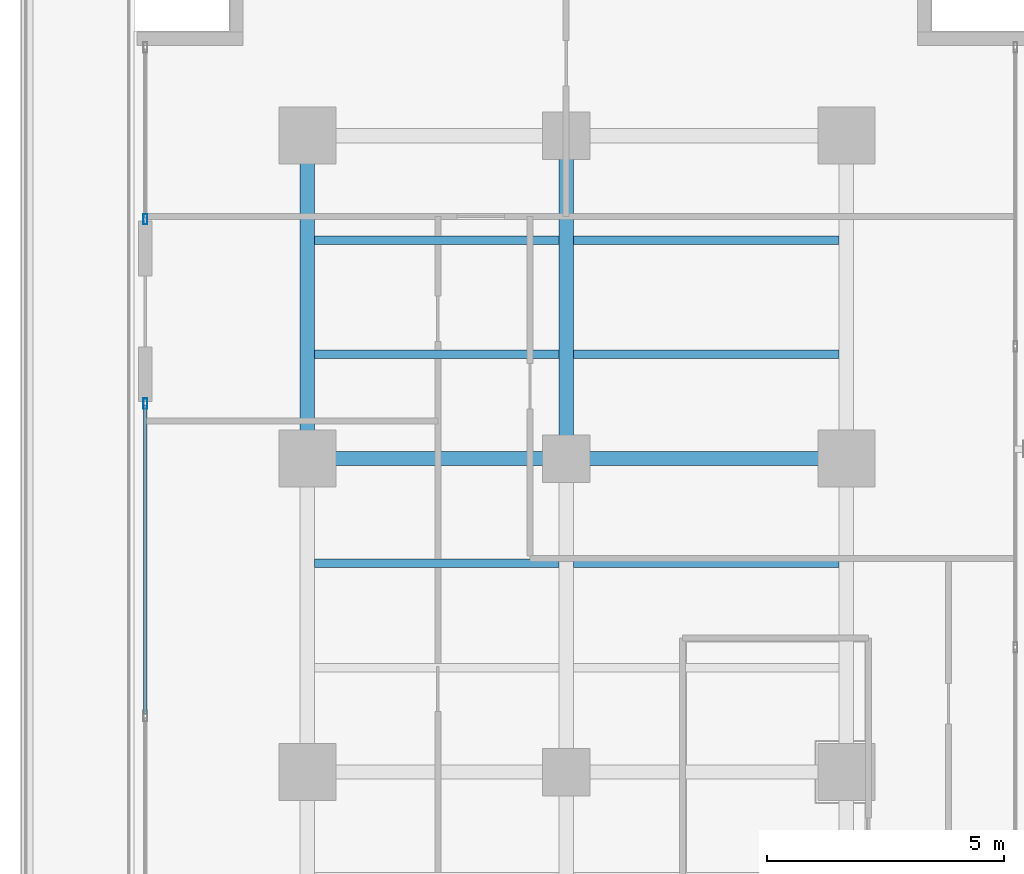
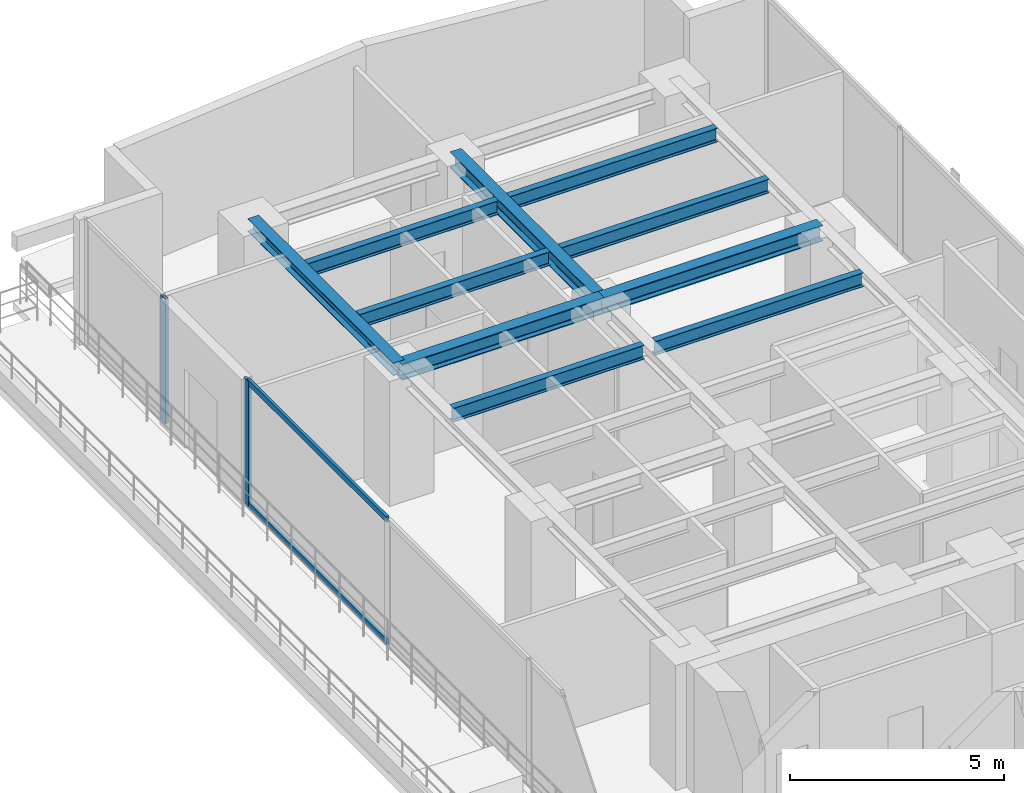
# One storey, part 16 of 28: 10 beams, 4 members, 2 elements without a shape of their own.
"""IFC4 building model written with IfcOpenShell, lengths in metres."""

from ifc_helpers import new_model, si_unit, direction, frame, origin, origin_with_axes, origin_2d, place, context, subcontext, project, spatial, hollow_rectangle, i_section, extrude, source, transform, mapped, material, layer, layer_set, material_profile, profile_set, type_object, element, aggregate, save


model = new_model("IFC4")

# Units and contexts
model_context = context("Model", 3, precision=1e-05, world=origin(), true_north=direction((0.0, 1.0)))
body_context = subcontext(model_context, "Body", "Model", "MODEL_VIEW")
ifc_project = project(units=[si_unit("LENGTHUNIT", "METRE"), si_unit("AREAUNIT", "SQUARE_METRE"), si_unit("VOLUMEUNIT", "CUBIC_METRE"), si_unit("PLANEANGLEUNIT", "RADIAN"), si_unit("MASSUNIT", "GRAM", prefix="KILO")], contexts=[model_context])

# Site, building, storey
site_placement = place(None, origin())
site = spatial("IfcSite", under=ifc_project, at=site_placement, CompositionType="ELEMENT")
building_placement = place(site_placement, origin())
building = spatial("IfcBuilding", under=site, at=building_placement, Name="Kolvaren Waterfront Exchange", CompositionType="ELEMENT")
storey_placement = place(building_placement, frame((0.0, 0.0, 146.199951171875)))
storey = spatial("IfcBuildingStorey", under=building, at=storey_placement, Name="L37", CompositionType="ELEMENT", Elevation=146.199951171875)

# Beams
ifc_material_1 = material(Name="Steel S355", Category="steel")
ifc_material_profile_1 = material_profile(ifc_material_1, i_section(OverallWidth=0.300048828125, OverallDepth=0.360107421875, WebThickness=0.012451171875, FlangeThickness=0.0224609375, FilletRadius=0.027099609375, at=origin_2d()), Name="HEB360")
ifc_profile_set_1 = profile_set([ifc_material_profile_1], Name="Steel S355")
beam_type_1 = type_object("IfcBeamType", Name="STR-BM-HEB360", PredefinedType="SPANDREL", material=ifc_profile_set_1)
beam_1_placement = place(storey_placement, frame((7.449951171875, 37.800048828125, 3.380126953125), z_axis=(0.0, 1.0, 0.0), x_axis=(-1.0, 0.0, 0.0)))
element("IfcBeam", 1, at=beam_1_placement, inside=storey, type_object=beam_type_1, Name="L37 north-arm edge beam 3", PredefinedType="SPANDREL", context=body_context, shape_type="SweptSolid", body=[
    extrude(i_section(OverallWidth=0.300048828125, OverallDepth=0.360107421875, WebThickness=0.012451171875, FlangeThickness=0.0224609375, FilletRadius=0.027099609375, at=origin_2d()), origin(), (0.0, 0.0, 1.0), 6.800048828125),
])
ifc_material_profile_2 = material_profile(ifc_material_1, i_section(OverallWidth=0.300048828125, OverallDepth=0.449951171875, WebThickness=0.013916015625, FlangeThickness=0.02587890625, FilletRadius=0.027099609375, at=origin_2d()), Name="HEB450")
ifc_profile_set_2 = profile_set([ifc_material_profile_2], Name="Steel S355")
beam_type_2 = type_object("IfcBeamType", Name="STR-BM-HEB450", PredefinedType="BEAM", material=ifc_profile_set_2)
beam_2_placement = place(storey_placement, frame((7.449951171875, 37.800048828125, 3.3349609375), z_axis=(1.0, 0.0, 0.0), x_axis=(0.0, 1.0, 0.0)))
element("IfcBeam", 2, at=beam_2_placement, inside=storey, type_object=beam_type_2, Name="L37 north-arm girder 3A", PredefinedType="BEAM", context=body_context, shape_type="SweptSolid", body=[
    extrude(i_section(OverallWidth=0.300048828125, OverallDepth=0.449951171875, WebThickness=0.013916015625, FlangeThickness=0.02587890625, FilletRadius=0.027099609375, at=origin_2d()), origin(), (0.0, 0.0, 1.0), 5.449951171875),
])
beam_3_placement = place(storey_placement, frame((12.89990234375, 37.800048828125, 3.3349609375), z_axis=(1.0, 0.0, 0.0), x_axis=(0.0, 1.0, 0.0)))
element("IfcBeam", 3, at=beam_3_placement, inside=storey, type_object=beam_type_2, Name="L37 north-arm girder 3B", PredefinedType="BEAM", context=body_context, shape_type="SweptSolid", body=[
    extrude(i_section(OverallWidth=0.300048828125, OverallDepth=0.449951171875, WebThickness=0.013916015625, FlangeThickness=0.02587890625, FilletRadius=0.027099609375, at=origin_2d()), origin(), (0.0, 0.0, 1.0), 5.900146484375),
])
beam_4_placement = place(storey_placement, frame((12.89990234375, 37.800048828125, 3.3349609375), z_axis=(0.0, 1.0, 0.0), x_axis=(-1.0, 0.0, 0.0)))
element("IfcBeam", 4, at=beam_4_placement, inside=storey, type_object=beam_type_2, Name="L37 north-arm edge beam 3", PredefinedType="BEAM", context=body_context, shape_type="SweptSolid", body=[
    extrude(i_section(OverallWidth=0.300048828125, OverallDepth=0.449951171875, WebThickness=0.013916015625, FlangeThickness=0.02587890625, FilletRadius=0.027099609375, at=origin_2d()), origin(), (0.0, 0.0, 1.0), 6.800048828125),
])
ifc_material_profile_3 = material_profile(ifc_material_1, i_section(OverallWidth=0.179931640625, OverallDepth=0.39990234375, WebThickness=0.008544921875, FlangeThickness=0.013427734375, FilletRadius=0.02099609375, at=origin_2d()), Name="IPE400")
ifc_profile_set_3 = profile_set([ifc_material_profile_3], Name="Steel S355")
beam_type_3 = type_object("IfcBeamType", Name="STR-BM-IPE400", PredefinedType="JOIST", material=ifc_profile_set_3)
beam_5_placement = place(storey_placement, frame((7.60205078125, 35.60009765625, 3.360107421875), z_axis=(1.0, 0.0, 0.0), x_axis=(0.0, 1.0, 0.0)))
element("IfcBeam", 5, at=beam_5_placement, inside=storey, type_object=beam_type_3, Name="L37 north-arm composite joist 4A", PredefinedType="JOIST", context=body_context, shape_type="SweptSolid", body=[
    extrude(i_section(OverallWidth=0.179931640625, OverallDepth=0.39990234375, WebThickness=0.008544921875, FlangeThickness=0.013427734375, FilletRadius=0.02099609375, at=origin_2d()), origin(), (0.0, 0.0, 1.0), 5.14599609375),
])
beam_6_placement = place(storey_placement, frame((13.052001953125, 35.60009765625, 3.360107421875), z_axis=(1.0, 0.0, 0.0), x_axis=(0.0, 1.0, 0.0)))
element("IfcBeam", 6, at=beam_6_placement, inside=storey, type_object=beam_type_3, Name="L37 north-arm composite joist 4B", PredefinedType="JOIST", context=body_context, shape_type="SweptSolid", body=[
    extrude(i_section(OverallWidth=0.179931640625, OverallDepth=0.39990234375, WebThickness=0.008544921875, FlangeThickness=0.013427734375, FilletRadius=0.02099609375, at=origin_2d()), origin(), (0.0, 0.0, 1.0), 5.595947265625),
])
beam_7_placement = place(storey_placement, frame((7.60205078125, 40.0, 3.360107421875), z_axis=(1.0, 0.0, 0.0), x_axis=(0.0, 1.0, 0.0)))
element("IfcBeam", 7, at=beam_7_placement, inside=storey, type_object=beam_type_3, Name="L37 north-arm composite joist 5A", PredefinedType="JOIST", context=body_context, shape_type="SweptSolid", body=[
    extrude(i_section(OverallWidth=0.179931640625, OverallDepth=0.39990234375, WebThickness=0.008544921875, FlangeThickness=0.013427734375, FilletRadius=0.02099609375, at=origin_2d()), origin(), (0.0, 0.0, 1.0), 5.14599609375),
])
beam_8_placement = place(storey_placement, frame((13.052001953125, 40.0, 3.360107421875), z_axis=(1.0, 0.0, 0.0), x_axis=(0.0, 1.0, 0.0)))
element("IfcBeam", 8, at=beam_8_placement, inside=storey, type_object=beam_type_3, Name="L37 north-arm composite joist 5B", PredefinedType="JOIST", context=body_context, shape_type="SweptSolid", body=[
    extrude(i_section(OverallWidth=0.179931640625, OverallDepth=0.39990234375, WebThickness=0.008544921875, FlangeThickness=0.013427734375, FilletRadius=0.02099609375, at=origin_2d()), origin(), (0.0, 0.0, 1.0), 5.595947265625),
])
beam_9_placement = place(storey_placement, frame((7.60205078125, 42.39990234375, 3.360107421875), z_axis=(1.0, 0.0, 0.0), x_axis=(0.0, 1.0, 0.0)))
element("IfcBeam", 9, at=beam_9_placement, inside=storey, type_object=beam_type_3, Name="L37 north-arm composite joist 6A", PredefinedType="JOIST", context=body_context, shape_type="SweptSolid", body=[
    extrude(i_section(OverallWidth=0.179931640625, OverallDepth=0.39990234375, WebThickness=0.008544921875, FlangeThickness=0.013427734375, FilletRadius=0.02099609375, at=origin_2d()), origin(), (0.0, 0.0, 1.0), 5.14599609375),
])
beam_10_placement = place(storey_placement, frame((13.052001953125, 42.39990234375, 3.360107421875), z_axis=(1.0, 0.0, 0.0), x_axis=(0.0, 1.0, 0.0)))
element("IfcBeam", 10, at=beam_10_placement, inside=storey, type_object=beam_type_3, Name="L37 north-arm composite joist 6B", PredefinedType="JOIST", context=body_context, shape_type="SweptSolid", body=[
    extrude(i_section(OverallWidth=0.179931640625, OverallDepth=0.39990234375, WebThickness=0.008544921875, FlangeThickness=0.013427734375, FilletRadius=0.02099609375, at=origin_2d()), origin(), (0.0, 0.0, 1.0), 5.595947265625),
])

# Curtain wall, member
ifc_material_2 = material(Name="Anodised aluminium 6063-T6", Category="aluminium")
ifc_layer = layer(ifc_material_2, 0.219970703125, Name="Anodised aluminium 6063-T6")
ifc_layer_set = layer_set([ifc_layer], Name="Anodised aluminium 6063-T6")
curtain_wall_type = type_object("IfcCurtainWallType", Name="ARC-CW-SYS2", PredefinedType="USERDEFINED", material=ifc_layer_set)
curtain_wall_1_placement = place(storey_placement, origin())
curtain_wall_1 = element("IfcCurtainWall", 11, at=curtain_wall_1_placement, inside=storey, type_object=curtain_wall_type, Name="L37 stick curtain wall CW2 (CW-L37-W-1)", ObjectType="STICK CURTAIN WALL", PredefinedType="USERDEFINED")
ifc_material_profile_4 = material_profile(ifc_material_2, hollow_rectangle(XDim=0.080078125, YDim=0.219970703125, WallThickness=0.0048828125, at=origin_2d()), Name="ALU-MUL-220x80x5")
ifc_profile_set_4 = profile_set([ifc_material_profile_4], Name="Anodised aluminium 6063-T6")
member_type_1 = type_object("IfcMemberType", Name="ARC-CWM-220", PredefinedType="MULLION", material=ifc_profile_set_4)
shared_shape_1 = source(origin_with_axes(), body_context, "Body", "SweptSolid", [
    extrude(hollow_rectangle(XDim=0.080078125, YDim=0.219970703125, WallThickness=0.0048828125, at=origin_2d()), origin(), (0.0, 0.0, 1.0), 3.56005859375),
])
member_1_placement = place(storey_placement, frame((4.0400390625, 38.9599609375, 0.0), z_axis=(0.0, 0.0, 1.0), x_axis=(-1.0, 0.0, 0.0)))
member_1 = element("IfcMember", 12, at=member_1_placement, type_object=member_type_1, Name="CW2 mullion 6", PredefinedType="MULLION", context=body_context, shape_type="MappedRepresentation", body=[
    mapped(shared_shape_1, transform((0.0, 0.0, 0.0), x_axis=(1.0, 0.0, 0.0), y_axis=(0.0, 1.0, 0.0), z_axis=(0.0, 0.0, 1.0), scale=1.0)),
])

curtain_wall_2_placement = place(storey_placement, origin())
curtain_wall_2 = element("IfcCurtainWall", 13, at=curtain_wall_2_placement, inside=storey, type_object=curtain_wall_type, Name="L37 stick curtain wall CW2 (CW-L37-W-2)", ObjectType="STICK CURTAIN WALL", PredefinedType="USERDEFINED")
member_2_placement = place(storey_placement, frame((4.0400390625, 42.840087890625, 0.0), z_axis=(0.0, 0.0, 1.0), x_axis=(-1.0, 0.0, 0.0)))
member_2 = element("IfcMember", 14, at=member_2_placement, type_object=member_type_1, Name="CW2 mullion 1", PredefinedType="MULLION", context=body_context, shape_type="MappedRepresentation", body=[
    mapped(shared_shape_1, transform((0.0, 0.0, 0.0), x_axis=(1.0, 0.0, 0.0), y_axis=(0.0, 1.0, 0.0), z_axis=(0.0, 0.0, 1.0), scale=1.0)),
])
aggregate(curtain_wall_2, [member_2])

# Member
ifc_material_profile_5 = material_profile(ifc_material_2, hollow_rectangle(XDim=0.074951171875, YDim=0.159912109375, WallThickness=0.00439453125, at=origin_2d()), Name="ALU-TRN-160x75x4.5")
ifc_profile_set_5 = profile_set([ifc_material_profile_5], Name="Anodised aluminium 6063-T6")
member_type_2 = type_object("IfcMemberType", Name="ARC-CWT-160", PredefinedType="USERDEFINED", material=ifc_profile_set_5)
shared_shape_2 = source(origin_with_axes(), body_context, "Body", "SweptSolid", [
    extrude(hollow_rectangle(XDim=0.074951171875, YDim=0.159912109375, WallThickness=0.00439453125, at=origin_2d()), origin(), (0.0, 0.0, 1.0), 6.5),
])
member_3_placement = place(storey_placement, frame((4.0400390625, 32.419921875, 0.03759765625), z_axis=(0.0, 1.0, 0.0), x_axis=(-1.0, 0.0, 0.0)))
member_3 = element("IfcMember", 15, at=member_3_placement, type_object=member_type_2, Name="CW2 transom 5.1", ObjectType="TRANSOM", PredefinedType="USERDEFINED", context=body_context, shape_type="MappedRepresentation", body=[
    mapped(shared_shape_2, transform((0.0, 0.0, 0.0), x_axis=(1.0, 0.0, 0.0), y_axis=(0.0, 1.0, 0.0), z_axis=(0.0, 0.0, 1.0), scale=1.0)),
])

member_4_placement = place(storey_placement, frame((4.0400390625, 32.419921875, 3.5224609375), z_axis=(0.0, 1.0, 0.0), x_axis=(-1.0, 0.0, 0.0)))
member_4 = element("IfcMember", 16, at=member_4_placement, type_object=member_type_2, Name="CW2 transom 5.2", ObjectType="TRANSOM", PredefinedType="USERDEFINED", context=body_context, shape_type="MappedRepresentation", body=[
    mapped(shared_shape_2, transform((0.0, 0.0, 0.0), x_axis=(1.0, 0.0, 0.0), y_axis=(0.0, 1.0, 0.0), z_axis=(0.0, 0.0, 1.0), scale=1.0)),
])

aggregate(curtain_wall_1, [member_1, member_3, member_4])

save(model, "model.ifc")
